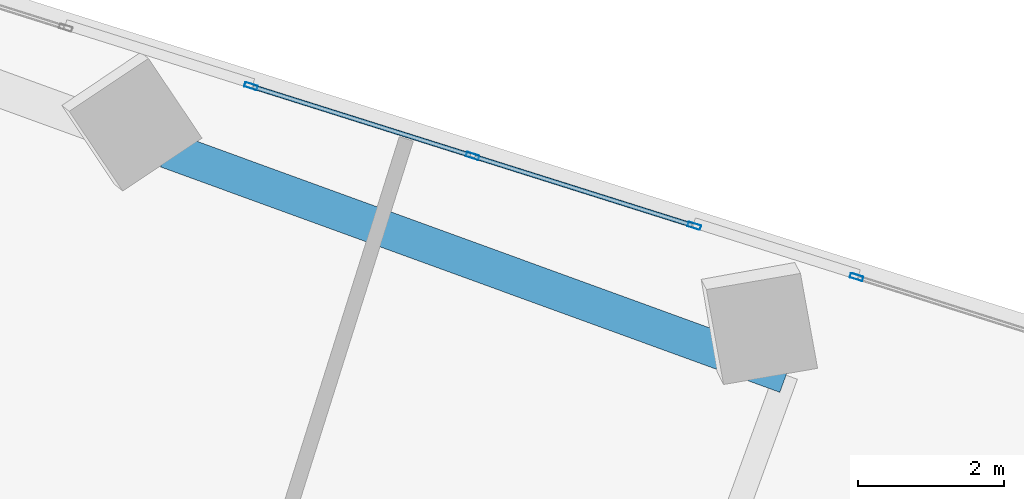
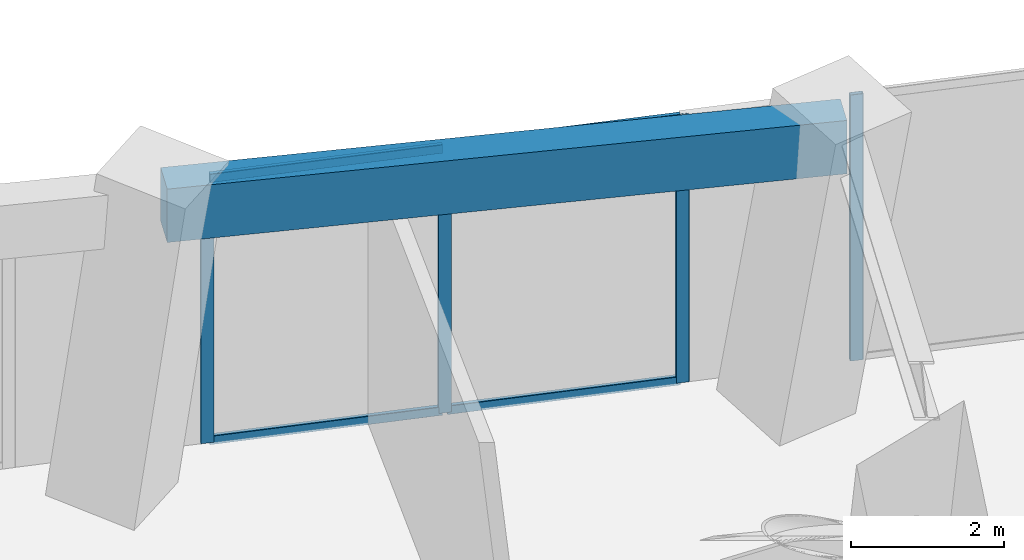
# One storey, part 18 of 29: 8 members, 1 beam, 2 elements without a shape of their own.
"""IFC4 building model written with IfcOpenShell, lengths in metres."""

from ifc_helpers import new_model, si_unit, direction, frame, origin, origin_2d, place, context, subcontext, project, spatial, rectangle, hollow_rectangle, extrude, source, transform, mapped, material, material_profile, profile_set, type_object, element, aggregate, save


model = new_model("IFC4")

# Units and contexts
model_context = context("Model", 3, precision=1e-05, world=origin(), true_north=direction((0.0, 1.0)))
body_context = subcontext(model_context, "Body", "Model", "MODEL_VIEW")
ifc_project = project(units=[si_unit("LENGTHUNIT", "METRE"), si_unit("AREAUNIT", "SQUARE_METRE"), si_unit("VOLUMEUNIT", "CUBIC_METRE"), si_unit("PLANEANGLEUNIT", "RADIAN"), si_unit("MASSUNIT", "GRAM", prefix="KILO")], contexts=[model_context])

# Site, building, storey
site_placement = place(None, origin())
site = spatial("IfcSite", under=ifc_project, at=site_placement, CompositionType="ELEMENT")
building_placement = place(site_placement, origin())
building = spatial("IfcBuilding", under=site, at=building_placement, Name="Torre Montelarca", CompositionType="ELEMENT")
storey_placement = place(building_placement, frame((0.0, 0.0, 122.199951171875)))
storey = spatial("IfcBuildingStorey", under=building, at=storey_placement, Name="L27", CompositionType="ELEMENT", Elevation=122.199951171875)

# Beam
ifc_material_1 = material(Name="Concrete C55/67", Category="concrete")
ifc_material_profile_1 = material_profile(ifc_material_1, rectangle(XDim=0.5, YDim=0.85009765625, at=origin_2d()), Name="RCB500X850", Category="concrete")
ifc_profile_set_1 = profile_set([ifc_material_profile_1], Name="Concrete C55/67")
beam_type = type_object("IfcBeamType", Name="BM-SP-RC850-EXT", PredefinedType="SPANDREL", material=ifc_profile_set_1)
shared_shape_1 = source(origin(), body_context, "Body", "SweptSolid", [
    extrude(rectangle(XDim=0.5, YDim=0.85009765625, at=origin_2d()), origin(), (0.0, 0.0, 1.0), 9.0),
])
beam_placement = place(storey_placement, frame((31.849853515625, 44.355224609375, 4.695068359375), z_axis=(0.939695174234, -0.342013127703, 0.0), x_axis=(0.342013127703, 0.939695174234, 0.0)))
element("IfcBeam", 1, at=beam_placement, inside=storey, type_object=beam_type, Name="L27 Grid Girder X 27.0-36.0 at Y=47.1", PredefinedType="SPANDREL", context=body_context, shape_type="MappedRepresentation", body=[
    mapped(shared_shape_1, transform((0.0, 0.0, 0.0), scale=1.0)),
])

# Curtain wall, member
ifc_material_2 = material(Name="Insulated low-E laminated glass", Category="glass")
curtain_wall_type = type_object("IfcCurtainWallType", Name="CW-SYS-Z1", PredefinedType="USERDEFINED", material=ifc_material_2)
curtain_wall_1_placement = place(storey_placement, origin())
curtain_wall_1 = element("IfcCurtainWall", 2, at=curtain_wall_1_placement, inside=storey, type_object=curtain_wall_type, Name="L27 Curtain Wall Run CW-T3-L27-E08-B1", ObjectType="UNITISED GLAZING", PredefinedType="USERDEFINED")
ifc_material_3 = material(Name="Anodised aluminium AA 6063-T6", Category="aluminium")
ifc_material_profile_2 = material_profile(ifc_material_3, hollow_rectangle(XDim=0.06494140625, YDim=0.179931640625, WallThickness=0.00390625, InnerFilletRadius=0.00390625, OuterFilletRadius=0.008056640625, at=origin_2d()), Name="ALU65X180X4", Category="aluminium")
ifc_profile_set_2 = profile_set([ifc_material_profile_2], Name="Anodised aluminium AA 6063-T6")
member_type_1 = type_object("IfcMemberType", Name="CWM-ALU180", PredefinedType="MULLION", material=ifc_profile_set_2)
shared_shape_2 = source(origin(), body_context, "Body", "SweptSolid", [
    extrude(hollow_rectangle(XDim=0.06494140625, YDim=0.179931640625, WallThickness=0.00390625, InnerFilletRadius=0.00390625, OuterFilletRadius=0.008056640625, at=origin_2d()), origin(), (0.0, 0.0, 1.0), 4.235107421875),
])
member_1_placement = place(storey_placement, frame((41.269775390625, 42.616455078125, 0.0), z_axis=(0.0, 0.0, 1.0), x_axis=(-0.300702638073, -0.953717947538, 0.0)))
member_1 = element("IfcMember", 3, at=member_1_placement, type_object=member_type_1, Name="CW mullion 3", PredefinedType="MULLION", context=body_context, shape_type="MappedRepresentation", body=[
    mapped(shared_shape_2, transform((0.0, 0.0, 0.0), scale=1.0)),
])
aggregate(curtain_wall_1, [member_1])

# Curtain wall, members
curtain_wall_2_placement = place(storey_placement, origin())
curtain_wall_2 = element("IfcCurtainWall", 4, at=curtain_wall_2_placement, inside=storey, type_object=curtain_wall_type, Name="L27 Curtain Wall Run CW-T3-L27-E08-B2", ObjectType="UNITISED GLAZING", PredefinedType="USERDEFINED")
member_2_placement = place(storey_placement, frame((39.052490234375, 43.315673828125, 0.0), z_axis=(0.0, 0.0, 1.0), x_axis=(-0.30070888994, -0.953715976332, 0.0)))
member_2 = element("IfcMember", 5, at=member_2_placement, type_object=member_type_1, Name="CW mullion 1", PredefinedType="MULLION", context=body_context, shape_type="MappedRepresentation", body=[
    mapped(shared_shape_2, transform((0.0, 0.0, 0.0), scale=1.0)),
])
member_3_placement = place(storey_placement, frame((36.02587890625, 44.27001953125, 0.0), z_axis=(0.0, 0.0, 1.0), x_axis=(-0.30070888994, -0.953715976332, 0.0)))
member_3 = element("IfcMember", 6, at=member_3_placement, type_object=member_type_1, Name="CW mullion 2", PredefinedType="MULLION", context=body_context, shape_type="MappedRepresentation", body=[
    mapped(shared_shape_2, transform((0.0, 0.0, 0.0), scale=1.0)),
])
member_4_placement = place(storey_placement, frame((32.9990234375, 45.22412109375, 0.0), z_axis=(0.0, 0.0, 1.0), x_axis=(-0.30070888994, -0.953715976332, 0.0)))
member_4 = element("IfcMember", 7, at=member_4_placement, type_object=member_type_1, Name="CW mullion 3", PredefinedType="MULLION", context=body_context, shape_type="MappedRepresentation", body=[
    mapped(shared_shape_2, transform((0.0, 0.0, 0.0), scale=1.0)),
])
ifc_material_profile_3 = material_profile(ifc_material_3, hollow_rectangle(XDim=0.06494140625, YDim=0.139892578125, WallThickness=0.00390625, InnerFilletRadius=0.00390625, OuterFilletRadius=0.008056640625, at=origin_2d()), Name="ALU65X140X4", Category="aluminium")
ifc_profile_set_3 = profile_set([ifc_material_profile_3], Name="Anodised aluminium AA 6063-T6")
member_type_2 = type_object("IfcMemberType", Name="CWT-ALU140", PredefinedType="USERDEFINED", material=ifc_profile_set_3)
shared_shape_3 = source(origin(), body_context, "Body", "SweptSolid", [
    extrude(hollow_rectangle(XDim=0.06494140625, YDim=0.139892578125, WallThickness=0.00390625, InnerFilletRadius=0.00390625, OuterFilletRadius=0.008056640625, at=origin_2d()), origin(), (0.0, 0.0, 1.0), 3.1083984375),
])
member_5_placement = place(storey_placement, frame((39.021484375, 43.325439453125, 0.032470703125), z_axis=(-0.953732113108, 0.300657706413, 0.0), x_axis=(-0.300657706413, -0.953732113108, 0.0)))
member_5 = element("IfcMember", 8, at=member_5_placement, type_object=member_type_2, Name="CW transom 1.1", ObjectType="TRANSOM", PredefinedType="USERDEFINED", context=body_context, shape_type="MappedRepresentation", body=[
    mapped(shared_shape_3, transform((0.0, 0.0, 0.0), scale=1.0)),
])
member_6_placement = place(storey_placement, frame((39.021484375, 43.325439453125, 4.20263671875), z_axis=(-0.953732113108, 0.300657706413, 0.0), x_axis=(-0.300657706413, -0.953732113108, 0.0)))
member_6 = element("IfcMember", 9, at=member_6_placement, type_object=member_type_2, Name="CW transom 1.2", ObjectType="TRANSOM", PredefinedType="USERDEFINED", context=body_context, shape_type="MappedRepresentation", body=[
    mapped(shared_shape_3, transform((0.0, 0.0, 0.0), scale=1.0)),
])
shared_shape_4 = source(origin(), body_context, "Body", "SweptSolid", [
    extrude(hollow_rectangle(XDim=0.06494140625, YDim=0.139892578125, WallThickness=0.00390625, InnerFilletRadius=0.00390625, OuterFilletRadius=0.008056640625, at=origin_2d()), origin(), (0.0, 0.0, 1.0), 3.108642578125),
])
member_7_placement = place(storey_placement, frame((35.994873046875, 44.27978515625, 0.032470703125), z_axis=(-0.953739212094, 0.300635186421, 0.0), x_axis=(-0.300635186421, -0.953739212094, 0.0)))
member_7 = element("IfcMember", 10, at=member_7_placement, type_object=member_type_2, Name="CW transom 2.1", ObjectType="TRANSOM", PredefinedType="USERDEFINED", context=body_context, shape_type="MappedRepresentation", body=[
    mapped(shared_shape_4, transform((0.0, 0.0, 0.0), scale=1.0)),
])
member_8_placement = place(storey_placement, frame((35.994873046875, 44.27978515625, 4.20263671875), z_axis=(-0.953739212094, 0.300635186421, 0.0), x_axis=(-0.300635186421, -0.953739212094, 0.0)))
member_8 = element("IfcMember", 11, at=member_8_placement, type_object=member_type_2, Name="CW transom 2.2", ObjectType="TRANSOM", PredefinedType="USERDEFINED", context=body_context, shape_type="MappedRepresentation", body=[
    mapped(shared_shape_4, transform((0.0, 0.0, 0.0), scale=1.0)),
])
aggregate(curtain_wall_2, [member_2, member_3, member_4, member_5, member_6, member_7, member_8])

save(model, "model.ifc")
